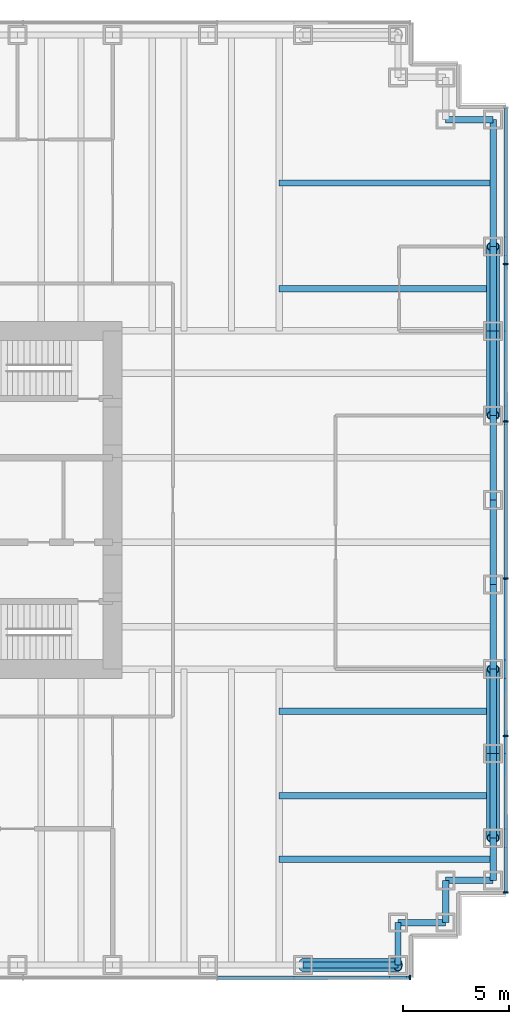
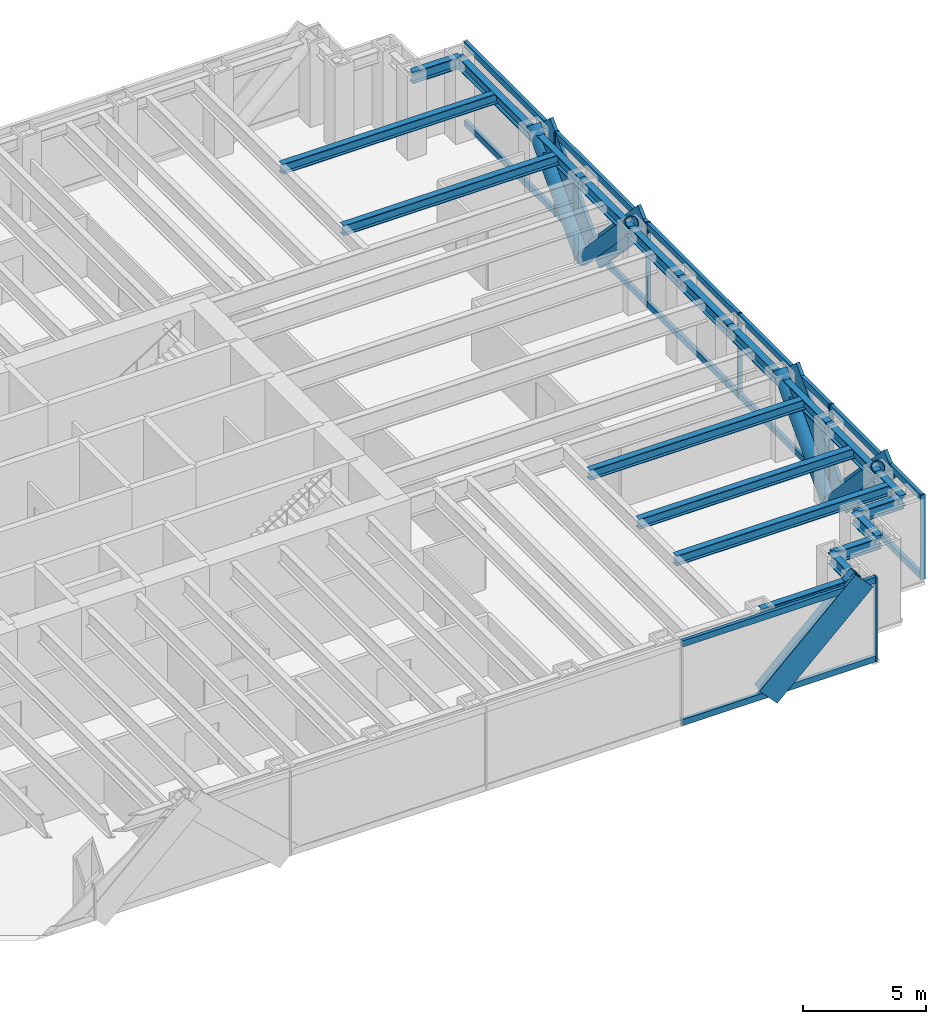
# One storey, part 8 of 15: 28 members, 20 beams, 2 elements without a shape of their own.
"""IFC4 building model written with IfcOpenShell, lengths in metres."""

from ifc_helpers import new_model, si_unit, direction, frame, origin, origin_2d, place, context, subcontext, project, spatial, rectangle, hollow_circle, i_section, extrude, material, material_profile, profile_set, type_object, element, aggregate, save


model = new_model("IFC4")

# Units and contexts
model_context = context("Model", 3, precision=1e-05, world=origin(), true_north=direction((0.0, 1.0)))
body_context = subcontext(model_context, "Body", "Model", "MODEL_VIEW")
ifc_project = project(units=[si_unit("LENGTHUNIT", "METRE"), si_unit("AREAUNIT", "SQUARE_METRE"), si_unit("VOLUMEUNIT", "CUBIC_METRE"), si_unit("PLANEANGLEUNIT", "RADIAN"), si_unit("MASSUNIT", "GRAM", prefix="KILO")], contexts=[model_context])

# Site, building, storey
site_placement = place(None, origin())
site = spatial("IfcSite", under=ifc_project, at=site_placement, CompositionType="ELEMENT")
building_placement = place(site_placement, origin())
building = spatial("IfcBuilding", under=site, at=building_placement, Name="Rheinbord Bourse Tower", CompositionType="ELEMENT")
storey_placement = place(building_placement, frame((0.0, 0.0, 150.89990234375)))
storey = spatial("IfcBuildingStorey", under=building, at=storey_placement, Name="L33", CompositionType="ELEMENT", Elevation=150.89990234375)

# Curtain wall, member
ifc_material_1 = material(Name="Dark glass and black aluminium", Category="aluminium")
curtain_wall_type = type_object("IfcCurtainWallType", Name="CW2 DARK GLASS CURTAIN WALL", PredefinedType="USERDEFINED", material=ifc_material_1)
curtain_wall_1_placement = place(storey_placement, origin())
curtain_wall_1 = element("IfcCurtainWall", 1, at=curtain_wall_1_placement, inside=storey, type_object=curtain_wall_type, Name="Curtain wall CW2 S L33", ObjectType="UNITISED CURTAIN WALL", PredefinedType="USERDEFINED")
ifc_material_2 = material(Name="Black anodised aluminium", Category="aluminium")
ifc_material_profile_1 = material_profile(ifc_material_2, rectangle(XDim=0.159912109375, YDim=1.2099609375, at=origin_2d()), Name="CW2 DIAGONAL MULLION 1210x160")
ifc_profile_set_1 = profile_set([ifc_material_profile_1], Name="Black anodised aluminium")
member_type_1 = type_object("IfcMemberType", Name="CW2 BLACK DIAGONAL MULLION", PredefinedType="USERDEFINED", material=ifc_profile_set_1)
member_1_placement = place(storey_placement, frame((63.0, 1.39990234375, 0.0), z_axis=(0.731039441158, 0.0, 0.682335207557), x_axis=(0.0, 1.0, 0.0)))
member_1 = element("IfcMember", 2, at=member_1_placement, type_object=member_type_1, Name="CW2 diagonal mullion c", ObjectType="DIAGONAL MULLION", PredefinedType="USERDEFINED", context=body_context, shape_type="SweptSolid", body=[
    extrude(rectangle(XDim=0.159912109375, YDim=1.2099609375, at=origin_2d()), origin(), (0.0, 0.0, 1.0), 6.155517578125),
])

# Curtain wall, members
curtain_wall_2_placement = place(storey_placement, origin())
curtain_wall_2 = element("IfcCurtainWall", 3, at=curtain_wall_2_placement, inside=storey, type_object=curtain_wall_type, Name="Curtain wall CW2 E L33", ObjectType="UNITISED CURTAIN WALL", PredefinedType="USERDEFINED")
member_2_placement = place(storey_placement, frame((72.60009765625, 12.0, 0.0), z_axis=(0.0, -0.689638355374, 0.72415394689), x_axis=(1.0, 0.0, 0.0)))
member_2 = element("IfcMember", 4, at=member_2_placement, type_object=member_type_1, Name="CW2 diagonal mullion a", ObjectType="DIAGONAL MULLION", PredefinedType="USERDEFINED", context=body_context, shape_type="SweptSolid", body=[
    extrude(rectangle(XDim=0.159912109375, YDim=1.2099609375, at=origin_2d()), origin(), (0.0, 0.0, 1.0), 5.800048828125),
])
member_3_placement = place(storey_placement, frame((72.60009765625, 32.0, 0.0), z_axis=(0.0, 0.689638355374, 0.72415394689), x_axis=(-1.0, 0.0, 0.0)))
member_3 = element("IfcMember", 5, at=member_3_placement, type_object=member_type_1, Name="CW2 diagonal mullion b", ObjectType="DIAGONAL MULLION", PredefinedType="USERDEFINED", context=body_context, shape_type="SweptSolid", body=[
    extrude(rectangle(XDim=0.159912109375, YDim=1.2099609375, at=origin_2d()), origin(), (0.0, 0.0, 1.0), 5.800048828125),
])
member_4_placement = place(storey_placement, frame((72.60009765625, 12.0, 0.0), z_axis=(0.0, 0.689638355374, 0.72415394689), x_axis=(-1.0, 0.0, 0.0)))
member_4 = element("IfcMember", 6, at=member_4_placement, type_object=member_type_1, Name="CW2 diagonal mullion c", ObjectType="DIAGONAL MULLION", PredefinedType="USERDEFINED", context=body_context, shape_type="SweptSolid", body=[
    extrude(rectangle(XDim=0.159912109375, YDim=1.2099609375, at=origin_2d()), origin(), (0.0, 0.0, 1.0), 5.800048828125),
])
member_5_placement = place(storey_placement, frame((72.60009765625, 32.0, 0.0), z_axis=(0.0, -0.689638355374, 0.72415394689), x_axis=(1.0, 0.0, 0.0)))
member_5 = element("IfcMember", 7, at=member_5_placement, type_object=member_type_1, Name="CW2 diagonal mullion d", ObjectType="DIAGONAL MULLION", PredefinedType="USERDEFINED", context=body_context, shape_type="SweptSolid", body=[
    extrude(rectangle(XDim=0.159912109375, YDim=1.2099609375, at=origin_2d()), origin(), (0.0, 0.0, 1.0), 5.800048828125),
])

# Member
ifc_material_3 = material(Name="Black anodised aluminium", Category="aluminium")
ifc_material_profile_2 = material_profile(ifc_material_3, rectangle(XDim=0.219970703125, YDim=0.070068359375, at=origin_2d()), Name="CW2 MULLION 70x220")
ifc_profile_set_2 = profile_set([ifc_material_profile_2], Name="Black anodised aluminium")
member_type_2 = type_object("IfcMemberType", Name="CW2 BLACK MULLION", PredefinedType="MULLION", material=ifc_profile_set_2)
member_6_placement = place(storey_placement, frame((68.06494140625, 1.39990234375, 0.0), z_axis=(0.0, 0.0, 1.0), x_axis=(0.0, 1.0, 0.0)))
member_6 = element("IfcMember", 8, at=member_6_placement, type_object=member_type_2, Name="CW2 mullion 8", PredefinedType="MULLION", context=body_context, shape_type="SweptSolid", body=[
    extrude(rectangle(XDim=0.219970703125, YDim=0.070068359375, at=origin_2d()), origin(), (0.0, 0.0, 1.0), 4.2001953125),
])

member_7_placement = place(storey_placement, frame((72.60009765625, 5.43505859375, 0.0), z_axis=(0.0, 0.0, 1.0), x_axis=(-1.0, 0.0, 0.0)))
member_7 = element("IfcMember", 9, at=member_7_placement, type_object=member_type_2, Name="CW2 mullion 1", PredefinedType="MULLION", context=body_context, shape_type="SweptSolid", body=[
    extrude(rectangle(XDim=0.219970703125, YDim=0.070068359375, at=origin_2d()), origin(), (0.0, 0.0, 1.0), 4.2001953125),
])

member_8_placement = place(storey_placement, frame((72.60009765625, 12.840087890625, 0.0), z_axis=(0.0, 0.0, 1.0), x_axis=(-1.0, 0.0, 0.0)))
member_8 = element("IfcMember", 10, at=member_8_placement, type_object=member_type_2, Name="CW2 mullion 2", PredefinedType="MULLION", context=body_context, shape_type="SweptSolid", body=[
    extrude(rectangle(XDim=0.219970703125, YDim=0.070068359375, at=origin_2d()), origin(), (0.0, 0.0, 1.0), 4.2001953125),
])

member_9_placement = place(storey_placement, frame((72.60009765625, 20.280029296875, 0.0), z_axis=(0.0, 0.0, 1.0), x_axis=(-1.0, 0.0, 0.0)))
member_9 = element("IfcMember", 11, at=member_9_placement, type_object=member_type_2, Name="CW2 mullion 3", PredefinedType="MULLION", context=body_context, shape_type="SweptSolid", body=[
    extrude(rectangle(XDim=0.219970703125, YDim=0.070068359375, at=origin_2d()), origin(), (0.0, 0.0, 1.0), 4.2001953125),
])

member_10_placement = place(storey_placement, frame((72.60009765625, 27.719970703125, 0.0), z_axis=(0.0, 0.0, 1.0), x_axis=(-1.0, 0.0, 0.0)))
member_10 = element("IfcMember", 12, at=member_10_placement, type_object=member_type_2, Name="CW2 mullion 4", PredefinedType="MULLION", context=body_context, shape_type="SweptSolid", body=[
    extrude(rectangle(XDim=0.219970703125, YDim=0.070068359375, at=origin_2d()), origin(), (0.0, 0.0, 1.0), 4.2001953125),
])

member_11_placement = place(storey_placement, frame((72.60009765625, 35.159912109375, 0.0), z_axis=(0.0, 0.0, 1.0), x_axis=(-1.0, 0.0, 0.0)))
member_11 = element("IfcMember", 13, at=member_11_placement, type_object=member_type_2, Name="CW2 mullion 5", PredefinedType="MULLION", context=body_context, shape_type="SweptSolid", body=[
    extrude(rectangle(XDim=0.219970703125, YDim=0.070068359375, at=origin_2d()), origin(), (0.0, 0.0, 1.0), 4.2001953125),
])

ifc_material_4 = material(Name="Black anodised aluminium", Category="aluminium")
ifc_material_profile_3 = material_profile(ifc_material_4, rectangle(XDim=0.159912109375, YDim=0.300048828125, at=origin_2d()), Name="CW2 TRANSOM 300x160")
ifc_profile_set_3 = profile_set([ifc_material_profile_3], Name="Black anodised aluminium")
member_type_3 = type_object("IfcMemberType", Name="CW2 BLACK TRANSOM", PredefinedType="USERDEFINED", material=ifc_profile_set_3)
member_12_placement = place(storey_placement, frame((58.963623046875, 1.39990234375, 0.150146484375), z_axis=(1.0, 0.0, 0.0), x_axis=(0.0, 1.0, 0.0)))
member_12 = element("IfcMember", 14, at=member_12_placement, type_object=member_type_3, Name="CW2 transom 7.1", ObjectType="TRANSOM", PredefinedType="USERDEFINED", context=body_context, shape_type="SweptSolid", body=[
    extrude(rectangle(XDim=0.159912109375, YDim=0.300048828125, at=origin_2d()), origin(), (0.0, 0.0, 1.0), 9.06640625),
])

member_13_placement = place(storey_placement, frame((58.963623046875, 1.39990234375, 4.050048828125), z_axis=(1.0, 0.0, 0.0), x_axis=(0.0, 1.0, 0.0)))
member_13 = element("IfcMember", 15, at=member_13_placement, type_object=member_type_3, Name="CW2 transom 7.2", ObjectType="TRANSOM", PredefinedType="USERDEFINED", context=body_context, shape_type="SweptSolid", body=[
    extrude(rectangle(XDim=0.159912109375, YDim=0.300048828125, at=origin_2d()), origin(), (0.0, 0.0, 1.0), 9.06640625),
])

aggregate(curtain_wall_1, [member_6, member_12, member_13, member_1])

member_14_placement = place(storey_placement, frame((72.60009765625, 5.469970703125, 0.150146484375), z_axis=(0.0, 1.0, 0.0), x_axis=(-1.0, 0.0, 0.0)))
member_14 = element("IfcMember", 16, at=member_14_placement, type_object=member_type_3, Name="CW2 transom 1.1", ObjectType="TRANSOM", PredefinedType="USERDEFINED", context=body_context, shape_type="SweptSolid", body=[
    extrude(rectangle(XDim=0.159912109375, YDim=0.300048828125, at=origin_2d()), origin(), (0.0, 0.0, 1.0), 7.3349609375),
])

member_15_placement = place(storey_placement, frame((72.60009765625, 5.469970703125, 4.050048828125), z_axis=(0.0, 1.0, 0.0), x_axis=(-1.0, 0.0, 0.0)))
member_15 = element("IfcMember", 17, at=member_15_placement, type_object=member_type_3, Name="CW2 transom 1.2", ObjectType="TRANSOM", PredefinedType="USERDEFINED", context=body_context, shape_type="SweptSolid", body=[
    extrude(rectangle(XDim=0.159912109375, YDim=0.300048828125, at=origin_2d()), origin(), (0.0, 0.0, 1.0), 7.3349609375),
])

member_16_placement = place(storey_placement, frame((72.60009765625, 12.875, 0.150146484375), z_axis=(0.0, 1.0, 0.0), x_axis=(-1.0, 0.0, 0.0)))
member_16 = element("IfcMember", 18, at=member_16_placement, type_object=member_type_3, Name="CW2 transom 2.1", ObjectType="TRANSOM", PredefinedType="USERDEFINED", context=body_context, shape_type="SweptSolid", body=[
    extrude(rectangle(XDim=0.159912109375, YDim=0.300048828125, at=origin_2d()), origin(), (0.0, 0.0, 1.0), 7.3701171875),
])

member_17_placement = place(storey_placement, frame((72.60009765625, 12.875, 4.050048828125), z_axis=(0.0, 1.0, 0.0), x_axis=(-1.0, 0.0, 0.0)))
member_17 = element("IfcMember", 19, at=member_17_placement, type_object=member_type_3, Name="CW2 transom 2.2", ObjectType="TRANSOM", PredefinedType="USERDEFINED", context=body_context, shape_type="SweptSolid", body=[
    extrude(rectangle(XDim=0.159912109375, YDim=0.300048828125, at=origin_2d()), origin(), (0.0, 0.0, 1.0), 7.3701171875),
])

member_18_placement = place(storey_placement, frame((72.60009765625, 20.31494140625, 0.150146484375), z_axis=(0.0, 1.0, 0.0), x_axis=(-1.0, 0.0, 0.0)))
member_18 = element("IfcMember", 20, at=member_18_placement, type_object=member_type_3, Name="CW2 transom 3.1", ObjectType="TRANSOM", PredefinedType="USERDEFINED", context=body_context, shape_type="SweptSolid", body=[
    extrude(rectangle(XDim=0.159912109375, YDim=0.300048828125, at=origin_2d()), origin(), (0.0, 0.0, 1.0), 7.3701171875),
])

member_19_placement = place(storey_placement, frame((72.60009765625, 20.31494140625, 4.050048828125), z_axis=(0.0, 1.0, 0.0), x_axis=(-1.0, 0.0, 0.0)))
member_19 = element("IfcMember", 21, at=member_19_placement, type_object=member_type_3, Name="CW2 transom 3.2", ObjectType="TRANSOM", PredefinedType="USERDEFINED", context=body_context, shape_type="SweptSolid", body=[
    extrude(rectangle(XDim=0.159912109375, YDim=0.300048828125, at=origin_2d()), origin(), (0.0, 0.0, 1.0), 7.3701171875),
])

member_20_placement = place(storey_placement, frame((72.60009765625, 27.7548828125, 0.150146484375), z_axis=(0.0, 1.0, 0.0), x_axis=(-1.0, 0.0, 0.0)))
member_20 = element("IfcMember", 22, at=member_20_placement, type_object=member_type_3, Name="CW2 transom 4.1", ObjectType="TRANSOM", PredefinedType="USERDEFINED", context=body_context, shape_type="SweptSolid", body=[
    extrude(rectangle(XDim=0.159912109375, YDim=0.300048828125, at=origin_2d()), origin(), (0.0, 0.0, 1.0), 7.3701171875),
])

member_21_placement = place(storey_placement, frame((72.60009765625, 27.7548828125, 4.050048828125), z_axis=(0.0, 1.0, 0.0), x_axis=(-1.0, 0.0, 0.0)))
member_21 = element("IfcMember", 23, at=member_21_placement, type_object=member_type_3, Name="CW2 transom 4.2", ObjectType="TRANSOM", PredefinedType="USERDEFINED", context=body_context, shape_type="SweptSolid", body=[
    extrude(rectangle(XDim=0.159912109375, YDim=0.300048828125, at=origin_2d()), origin(), (0.0, 0.0, 1.0), 7.3701171875),
])

member_22_placement = place(storey_placement, frame((72.60009765625, 35.195068359375, 0.150146484375), z_axis=(0.0, 1.0, 0.0), x_axis=(-1.0, 0.0, 0.0)))
member_22 = element("IfcMember", 24, at=member_22_placement, type_object=member_type_3, Name="CW2 transom 5.1", ObjectType="TRANSOM", PredefinedType="USERDEFINED", context=body_context, shape_type="SweptSolid", body=[
    extrude(rectangle(XDim=0.159912109375, YDim=0.300048828125, at=origin_2d()), origin(), (0.0, 0.0, 1.0), 7.3349609375),
])

member_23_placement = place(storey_placement, frame((72.60009765625, 35.195068359375, 4.050048828125), z_axis=(0.0, 1.0, 0.0), x_axis=(-1.0, 0.0, 0.0)))
member_23 = element("IfcMember", 25, at=member_23_placement, type_object=member_type_3, Name="CW2 transom 5.2", ObjectType="TRANSOM", PredefinedType="USERDEFINED", context=body_context, shape_type="SweptSolid", body=[
    extrude(rectangle(XDim=0.159912109375, YDim=0.300048828125, at=origin_2d()), origin(), (0.0, 0.0, 1.0), 7.3349609375),
])

aggregate(curtain_wall_2, [member_7, member_8, member_9, member_10, member_11, member_14, member_15, member_16, member_17, member_18, member_19, member_20, member_21, member_22, member_23, member_2, member_3, member_4, member_5])

# Members
ifc_material_5 = material(Name="Steel S460", Category="steel")
ifc_material_profile_4 = material_profile(ifc_material_5, hollow_circle(Radius=0.304931640625, WallThickness=0.0400390625, at=origin_2d()), Name="CHS 610x40")
ifc_profile_set_4 = profile_set([ifc_material_profile_4], Name="Steel S460")
member_type_4 = type_object("IfcMemberType", Name="MEGABRACE CHS 610x40", PredefinedType="BRACE", material=ifc_profile_set_4)
member_24_placement = place(storey_placement, frame((63.0, 2.0, 0.0), z_axis=(0.731039441158, 0.0, 0.682335207557), x_axis=(0.0, 1.0, 0.0)))
element("IfcMember", 26, at=member_24_placement, inside=storey, type_object=member_type_4, Name="Megabrace S face line c L33", PredefinedType="BRACE", context=body_context, shape_type="SweptSolid", body=[
    extrude(hollow_circle(Radius=0.304931640625, WallThickness=0.0400390625, at=origin_2d()), origin(), (0.0, 0.0, 1.0), 6.155517578125),
])
for number, where, z_axis, x_axis, name in (
    (27, (72.0, 12.0, 0.0), (0.0, -0.689638355374, 0.72415394689), (1.0, 0.0, 0.0), "Megabrace E face line a L33"),
    (28, (72.0, 32.0, 0.0), (0.0, 0.689638355374, 0.72415394689), (-1.0, 0.0, 0.0), "Megabrace E face line b L33"),
    (29, (72.0, 12.0, 0.0), (0.0, 0.689638355374, 0.72415394689), (-1.0, 0.0, 0.0), "Megabrace E face line c L33"),
    (30, (72.0, 32.0, 0.0), (0.0, -0.689638355374, 0.72415394689), (1.0, 0.0, 0.0), "Megabrace E face line d L33"),
):
    element("IfcMember", number, at=place(storey_placement, frame(where, z_axis=z_axis, x_axis=x_axis)), inside=storey, type_object=member_type_4, Name=name, PredefinedType="BRACE", context=body_context, shape_type="SweptSolid", body=[
        extrude(hollow_circle(Radius=0.304931640625, WallThickness=0.0400390625, at=origin_2d()), origin(), (0.0, 0.0, 1.0), 5.800048828125),
    ])

# Beams
ifc_material_6 = material(Name="Steel S460", Category="steel")
ifc_material_profile_5 = material_profile(ifc_material_6, i_section(OverallWidth=0.305908203125, OverallDepth=0.572021484375, WebThickness=0.02099609375, FlangeThickness=0.0400390625, at=origin_2d()), Name="HEM 550")
ifc_profile_set_5 = profile_set([ifc_material_profile_5], Name="Steel S460")
beam_type_1 = type_object("IfcBeamType", Name="SPANDREL HEM 550", PredefinedType="SPANDREL", material=ifc_profile_set_5)
beam_1_placement = place(storey_placement, frame((63.0, 2.0, 3.754150390625), z_axis=(1.0, 0.0, 0.0), x_axis=(0.0, 1.0, 0.0)))
element("IfcBeam", 31, at=beam_1_placement, inside=storey, type_object=beam_type_1, Name="Spandrel S-63-SE-E under L34", PredefinedType="SPANDREL", context=body_context, shape_type="SweptSolid", body=[
    extrude(i_section(OverallWidth=0.305908203125, OverallDepth=0.572021484375, WebThickness=0.02099609375, FlangeThickness=0.0400390625, at=origin_2d()), origin(), (0.0, 0.0, 1.0), 4.5),
])
beam_2_placement = place(storey_placement, frame((67.5, 2.0, 3.754150390625), z_axis=(0.0, 1.0, 0.0), x_axis=(-1.0, 0.0, 0.0)))
element("IfcBeam", 32, at=beam_2_placement, inside=storey, type_object=beam_type_1, Name="Spandrel SE-E-SE-D under L34", PredefinedType="SPANDREL", context=body_context, shape_type="SweptSolid", body=[
    extrude(i_section(OverallWidth=0.305908203125, OverallDepth=0.572021484375, WebThickness=0.02099609375, FlangeThickness=0.0400390625, at=origin_2d()), origin(), (0.0, 0.0, 1.0), 2.0),
])
beam_3_placement = place(storey_placement, frame((67.5, 4.0, 3.754150390625), z_axis=(1.0, 0.0, 0.0), x_axis=(0.0, 1.0, 0.0)))
element("IfcBeam", 33, at=beam_3_placement, inside=storey, type_object=beam_type_1, Name="Spandrel SE-D-SE-C under L34", PredefinedType="SPANDREL", context=body_context, shape_type="SweptSolid", body=[
    extrude(i_section(OverallWidth=0.305908203125, OverallDepth=0.572021484375, WebThickness=0.02099609375, FlangeThickness=0.0400390625, at=origin_2d()), origin(), (0.0, 0.0, 1.0), 2.25),
])
beam_4_placement = place(storey_placement, frame((69.75, 4.0, 3.754150390625), z_axis=(0.0, 1.0, 0.0), x_axis=(-1.0, 0.0, 0.0)))
element("IfcBeam", 34, at=beam_4_placement, inside=storey, type_object=beam_type_1, Name="Spandrel SE-C-SE-B under L34", PredefinedType="SPANDREL", context=body_context, shape_type="SweptSolid", body=[
    extrude(i_section(OverallWidth=0.305908203125, OverallDepth=0.572021484375, WebThickness=0.02099609375, FlangeThickness=0.0400390625, at=origin_2d()), origin(), (0.0, 0.0, 1.0), 2.0),
])
beam_5_placement = place(storey_placement, frame((69.75, 6.0, 3.754150390625), z_axis=(1.0, 0.0, 0.0), x_axis=(0.0, 1.0, 0.0)))
element("IfcBeam", 35, at=beam_5_placement, inside=storey, type_object=beam_type_1, Name="Spandrel SE-B-SE-A under L34", PredefinedType="SPANDREL", context=body_context, shape_type="SweptSolid", body=[
    extrude(i_section(OverallWidth=0.305908203125, OverallDepth=0.572021484375, WebThickness=0.02099609375, FlangeThickness=0.0400390625, at=origin_2d()), origin(), (0.0, 0.0, 1.0), 2.25),
])
beam_6_placement = place(storey_placement, frame((72.0, 6.0, 3.754150390625), z_axis=(0.0, 1.0, 0.0), x_axis=(-1.0, 0.0, 0.0)))
element("IfcBeam", 36, at=beam_6_placement, inside=storey, type_object=beam_type_1, Name="Spandrel SE-A-E-8 under L34", PredefinedType="SPANDREL", context=body_context, shape_type="SweptSolid", body=[
    extrude(i_section(OverallWidth=0.305908203125, OverallDepth=0.572021484375, WebThickness=0.02099609375, FlangeThickness=0.0400390625, at=origin_2d()), origin(), (0.0, 0.0, 1.0), 2.0),
])
for number, where, z_axis, x_axis, name in (
    (37, (72.0, 8.0, 3.754150390625), (0.0, 1.0, 0.0), (-1.0, 0.0, 0.0), "Spandrel E-8-E-12 under L34"),
    (38, (72.0, 12.0, 3.754150390625), (0.0, 1.0, 0.0), (-1.0, 0.0, 0.0), "Spandrel E-12-E-16 under L34"),
    (39, (72.0, 16.0, 3.754150390625), (0.0, 1.0, 0.0), (-1.0, 0.0, 0.0), "Spandrel E-16-E-20 under L34"),
    (40, (72.0, 20.0, 3.754150390625), (0.0, 1.0, 0.0), (-1.0, 0.0, 0.0), "Spandrel E-20-E-24 under L34"),
    (41, (72.0, 24.0, 3.754150390625), (0.0, 1.0, 0.0), (-1.0, 0.0, 0.0), "Spandrel E-24-E-28 under L34"),
    (42, (72.0, 28.0, 3.754150390625), (0.0, 1.0, 0.0), (-1.0, 0.0, 0.0), "Spandrel E-28-E-32 under L34"),
    (43, (72.0, 32.0, 3.754150390625), (0.0, 1.0, 0.0), (-1.0, 0.0, 0.0), "Spandrel E-32-E-36 under L34"),
):
    element("IfcBeam", number, at=place(storey_placement, frame(where, z_axis=z_axis, x_axis=x_axis)), inside=storey, type_object=beam_type_1, Name=name, PredefinedType="SPANDREL", context=body_context, shape_type="SweptSolid", body=[
        extrude(i_section(OverallWidth=0.305908203125, OverallDepth=0.572021484375, WebThickness=0.02099609375, FlangeThickness=0.0400390625, at=origin_2d()), origin(), (0.0, 0.0, 1.0), 4.0),
    ])
beam_7_placement = place(storey_placement, frame((72.0, 36.0, 3.754150390625), z_axis=(0.0, 1.0, 0.0), x_axis=(-1.0, 0.0, 0.0)))
element("IfcBeam", 44, at=beam_7_placement, inside=storey, type_object=beam_type_1, Name="Spandrel E-36-NE-A under L34", PredefinedType="SPANDREL", context=body_context, shape_type="SweptSolid", body=[
    extrude(i_section(OverallWidth=0.305908203125, OverallDepth=0.572021484375, WebThickness=0.02099609375, FlangeThickness=0.0400390625, at=origin_2d()), origin(), (0.0, 0.0, 1.0), 6.0),
])
beam_8_placement = place(storey_placement, frame((72.0, 42.0, 3.754150390625), z_axis=(-1.0, 0.0, 0.0), x_axis=(0.0, -1.0, 0.0)))
element("IfcBeam", 45, at=beam_8_placement, inside=storey, type_object=beam_type_1, Name="Spandrel NE-A-NE-B under L34", PredefinedType="SPANDREL", context=body_context, shape_type="SweptSolid", body=[
    extrude(i_section(OverallWidth=0.305908203125, OverallDepth=0.572021484375, WebThickness=0.02099609375, FlangeThickness=0.0400390625, at=origin_2d()), origin(), (0.0, 0.0, 1.0), 2.25),
])
ifc_material_7 = material(Name="Steel S460", Category="steel")
ifc_material_profile_6 = material_profile(ifc_material_7, i_section(OverallWidth=0.300048828125, OverallDepth=0.5, WebThickness=0.014404296875, FlangeThickness=0.028076171875, at=origin_2d()), Name="HEB 500")
ifc_profile_set_6 = profile_set([ifc_material_profile_6], Name="Steel S460")
beam_type_2 = type_object("IfcBeamType", Name="TIE BEAM HEB 500", PredefinedType="JOIST", material=ifc_profile_set_6)
for number, where, z_axis, x_axis, name in (
    (46, (61.875, 7.0, 3.7900390625), (1.0, 0.0, 0.0), (0.0, 1.0, 0.0), "Tie east 7 L34"),
    (47, (61.875, 10.0, 3.7900390625), (1.0, 0.0, 0.0), (0.0, 1.0, 0.0), "Tie east 10 L34"),
    (48, (61.875, 14.0, 3.7900390625), (1.0, 0.0, 0.0), (0.0, 1.0, 0.0), "Tie east 14 L34"),
    (49, (61.875, 34.0, 3.7900390625), (1.0, 0.0, 0.0), (0.0, 1.0, 0.0), "Tie east 34 L34"),
    (50, (61.875, 39.0, 3.7900390625), (1.0, 0.0, 0.0), (0.0, 1.0, 0.0), "Tie east 39 L34"),
):
    element("IfcBeam", number, at=place(storey_placement, frame(where, z_axis=z_axis, x_axis=x_axis)), inside=storey, type_object=beam_type_2, Name=name, PredefinedType="JOIST", context=body_context, shape_type="SweptSolid", body=[
        extrude(i_section(OverallWidth=0.300048828125, OverallDepth=0.5, WebThickness=0.014404296875, FlangeThickness=0.028076171875, at=origin_2d()), origin(), (0.0, 0.0, 1.0), 10.125),
    ])

save(model, "model.ifc")
